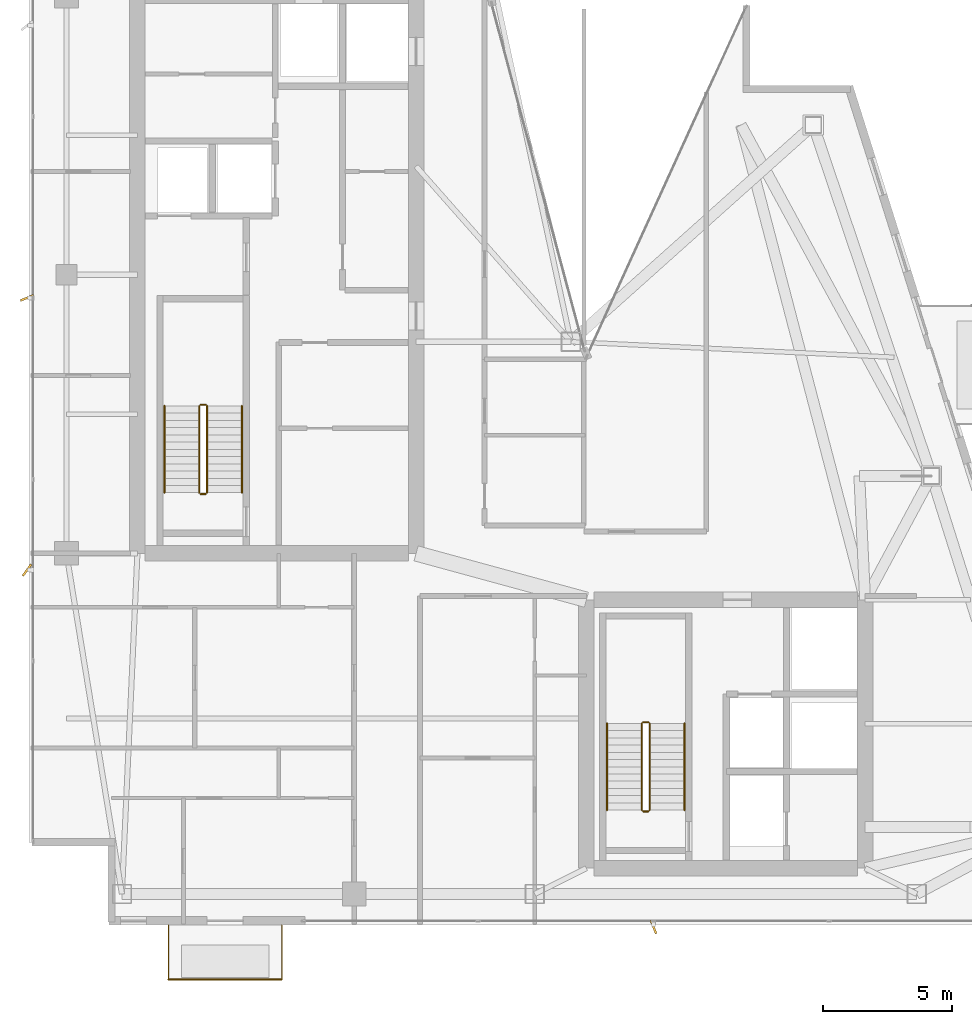
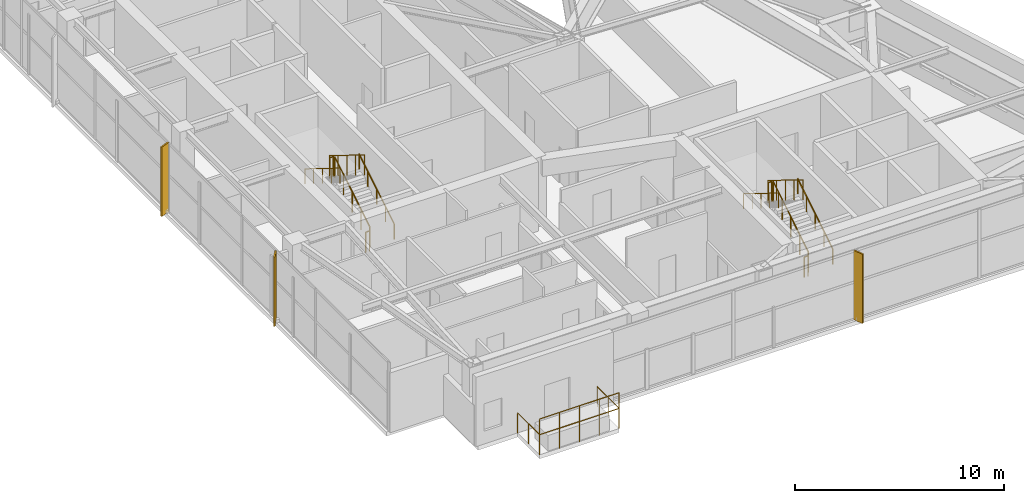
# One storey, part 25 of 26: 14 railings, 3 shading devices.
"""IFC4 building model written with IfcOpenShell, lengths in metres."""

from ifc_helpers import new_model, si_unit, direction, frame, origin, origin_2d, place, context, subcontext, project, spatial, rectangle, circle, extrude, material, type_object, element, save


model = new_model("IFC4")

# Units and contexts
model_context = context("Model", 3, precision=1e-05, world=origin(), true_north=direction((0.0, 1.0)))
body_context = subcontext(model_context, "Body", "Model", "MODEL_VIEW")
ifc_project = project(units=[si_unit("LENGTHUNIT", "METRE"), si_unit("AREAUNIT", "SQUARE_METRE"), si_unit("VOLUMEUNIT", "CUBIC_METRE"), si_unit("PLANEANGLEUNIT", "RADIAN"), si_unit("MASSUNIT", "GRAM", prefix="KILO")], contexts=[model_context])

# Site, building, storey
site_placement = place(None, origin())
site = spatial("IfcSite", under=ifc_project, at=site_placement, CompositionType="ELEMENT")
building_placement = place(site_placement, origin())
building = spatial("IfcBuilding", under=site, at=building_placement, Name="Calvorn Quay Hotel", CompositionType="ELEMENT")
storey_placement = place(building_placement, frame((0.0, 0.0, 302.5)))
storey = spatial("IfcBuildingStorey", under=building, at=storey_placement, Name="L75", CompositionType="ELEMENT", Elevation=302.5)

# Railings
ifc_material_1 = material(Name="Pale Anodised Aluminium and Laminated Glass", Category="aluminium")
railing_type_1 = type_object("IfcRailingType", Name="RLG-BALUSTRADE-1200", PredefinedType="BALUSTRADE", material=ifc_material_1)
railing_1_placement = place(storey_placement, frame((5.39990234375, 2.389892578125, 0.0)))
element("IfcRailing", 1, at=railing_1_placement, inside=storey, type_object=railing_type_1, Name="Tree Balcony Perimeter Balustrade L75-BALC-S", PredefinedType="BALUSTRADE", context=body_context, shape_type="SweptSolid", body=[
    extrude(circle(Radius=0.02392578125, at=origin_2d()), frame((0.0, 0.0, 1.17578125), z_axis=(0.0, -1.0, 0.0), x_axis=(1.0, 0.0, 0.0)), (0.0, 0.0, 1.0), 2.099853515625),
    extrude(circle(Radius=0.02392578125, at=origin_2d()), frame((0.0, -2.099853515625, 1.17578125), z_axis=(1.0, 0.0, 0.0), x_axis=(0.0, 1.0, 0.0)), (0.0, 0.0, 1.0), 4.400146484375),
    extrude(circle(Radius=0.02392578125, at=origin_2d()), frame((4.400146484375, -2.099853515625, 1.17578125), z_axis=(0.0, 1.0, 0.0), x_axis=(-1.0, 0.0, 0.0)), (0.0, 0.0, 1.0), 2.099853515625),
    extrude(circle(Radius=0.02099609375, at=origin_2d()), origin(), (0.0, 0.0, 1.0), 1.15185546875),
    extrude(circle(Radius=0.02099609375, at=origin_2d()), frame((0.0, -1.0498046875, 0.0)), (0.0, 0.0, 1.0), 1.15185546875),
    extrude(circle(Radius=0.02099609375, at=origin_2d()), frame((0.0, -2.099853515625, 0.0)), (0.0, 0.0, 1.0), 1.15185546875),
    extrude(circle(Radius=0.02099609375, at=origin_2d()), frame((1.10009765625, -2.099853515625, 0.0)), (0.0, 0.0, 1.0), 1.15185546875),
    extrude(circle(Radius=0.02099609375, at=origin_2d()), frame((2.2001953125, -2.099853515625, 0.0)), (0.0, 0.0, 1.0), 1.15185546875),
    extrude(circle(Radius=0.02099609375, at=origin_2d()), frame((3.300048828125, -2.099853515625, 0.0)), (0.0, 0.0, 1.0), 1.15185546875),
    extrude(circle(Radius=0.02099609375, at=origin_2d()), frame((4.400146484375, -2.099853515625, 0.0)), (0.0, 0.0, 1.0), 1.15185546875),
    extrude(circle(Radius=0.02099609375, at=origin_2d()), frame((4.400146484375, -1.0498046875, 0.0)), (0.0, 0.0, 1.0), 1.15185546875),
    extrude(circle(Radius=0.02099609375, at=origin_2d()), frame((4.400146484375, 0.0, 0.0)), (0.0, 0.0, 1.0), 1.15185546875),
])
railing_2_placement = place(storey_placement, frame((5.39990234375, 0.2900390625, 0.89990234375)))
element("IfcRailing", 2, at=railing_2_placement, inside=storey, type_object=railing_type_1, Name="Planter Kerb High Safety Screen L75-BALC-S", PredefinedType="BALUSTRADE", context=body_context, shape_type="SweptSolid", body=[
    extrude(circle(Radius=0.02392578125, at=origin_2d()), frame((0.0, 0.0, 1.19580078125), z_axis=(1.0, 0.0, 0.0), x_axis=(0.0, 1.0, 0.0)), (0.0, 0.0, 1.0), 4.400146484375),
    extrude(circle(Radius=0.02099609375, at=origin_2d()), origin(), (0.0, 0.0, 1.0), 1.171875),
    extrude(circle(Radius=0.02099609375, at=origin_2d()), frame((1.10009765625, 0.0, 0.0)), (0.0, 0.0, 1.0), 1.171875),
    extrude(circle(Radius=0.02099609375, at=origin_2d()), frame((2.2001953125, 0.0, 0.0)), (0.0, 0.0, 1.0), 1.171875),
    extrude(circle(Radius=0.02099609375, at=origin_2d()), frame((3.300048828125, 0.0, 0.0)), (0.0, 0.0, 1.0), 1.171875),
    extrude(circle(Radius=0.02099609375, at=origin_2d()), frame((4.400146484375, 0.0, 0.0)), (0.0, 0.0, 1.0), 1.171875),
])
ifc_material_2 = material(Name="Brushed Stainless Steel Handrail", Category="steel")
railing_type_2 = type_object("IfcRailingType", Name="RLG-HANDRAIL-900", PredefinedType="HANDRAIL", material=ifc_material_2)
railing_3_placement = place(storey_placement, frame((8.25, 19.14990234375, 0.173095703125)))
element("IfcRailing", 3, at=railing_3_placement, inside=storey, type_object=railing_type_2, Name="L75 ST-W stair handrail 1", PredefinedType="HANDRAIL", context=body_context, shape_type="SweptSolid", body=[
    extrude(circle(Radius=0.02392578125, at=origin_2d()), frame((0.0, 0.0, 0.8759765625), z_axis=(0.0, 0.850623216509, 0.525775754039), x_axis=(-1.0, 0.0, 0.0)), (0.0, 0.0, 1.0), 3.9501953125),
    extrude(circle(Radius=0.02099609375, at=origin_2d()), origin(), (0.0, 0.0, 1.0), 0.851806640625),
    extrude(circle(Radius=0.02099609375, at=origin_2d()), frame((0.0, 0.840087890625, 0.519287109375)), (0.0, 0.0, 1.0), 0.851806640625),
    extrude(circle(Radius=0.02099609375, at=origin_2d()), frame((0.0, 1.68017578125, 1.03857421875)), (0.0, 0.0, 1.0), 0.851806640625),
    extrude(circle(Radius=0.02099609375, at=origin_2d()), frame((0.0, 2.52001953125, 1.5576171875)), (0.0, 0.0, 1.0), 0.851806640625),
    extrude(circle(Radius=0.02099609375, at=origin_2d()), frame((0.0, 3.360107421875, 2.076904296875)), (0.0, 0.0, 1.0), 0.851806640625),
])
railing_4_placement = place(storey_placement, frame((5.25, 22.510009765625, 2.423095703125)))
element("IfcRailing", 4, at=railing_4_placement, inside=storey, type_object=railing_type_2, Name="L75 ST-W stair handrail 2", PredefinedType="HANDRAIL", context=body_context, shape_type="SweptSolid", body=[
    extrude(circle(Radius=0.02392578125, at=origin_2d()), frame((0.0, 0.0, 0.8759765625), z_axis=(0.0, -0.850623216509, 0.525775754039), x_axis=(1.0, 0.0, 0.0)), (0.0, 0.0, 1.0), 3.9501953125),
    extrude(circle(Radius=0.02099609375, at=origin_2d()), origin(), (0.0, 0.0, 1.0), 0.851806640625),
    extrude(circle(Radius=0.02099609375, at=origin_2d()), frame((0.0, -0.840087890625, 0.519287109375)), (0.0, 0.0, 1.0), 0.851806640625),
    extrude(circle(Radius=0.02099609375, at=origin_2d()), frame((0.0, -1.68017578125, 1.03857421875)), (0.0, 0.0, 1.0), 0.851806640625),
    extrude(circle(Radius=0.02099609375, at=origin_2d()), frame((0.0, -2.52001953125, 1.5576171875)), (0.0, 0.0, 1.0), 0.851806640625),
    extrude(circle(Radius=0.02099609375, at=origin_2d()), frame((0.0, -3.360107421875, 2.076904296875)), (0.0, 0.0, 1.0), 0.851806640625),
])
railing_5_placement = place(storey_placement, frame((25.39990234375, 6.85009765625, 0.173095703125)))
element("IfcRailing", 5, at=railing_5_placement, inside=storey, type_object=railing_type_2, Name="L75 ST-E stair handrail 1", PredefinedType="HANDRAIL", context=body_context, shape_type="SweptSolid", body=[
    extrude(circle(Radius=0.02392578125, at=origin_2d()), frame((0.0, 0.0, 0.8759765625), z_axis=(0.0, 0.850606129759, 0.525803396734), x_axis=(-1.0, 0.0, 0.0)), (0.0, 0.0, 1.0), 3.949951171875),
    extrude(circle(Radius=0.02099609375, at=origin_2d()), origin(), (0.0, 0.0, 1.0), 0.851806640625),
    extrude(circle(Radius=0.02099609375, at=origin_2d()), frame((0.0, 0.83984375, 0.519287109375)), (0.0, 0.0, 1.0), 0.851806640625),
    extrude(circle(Radius=0.02099609375, at=origin_2d()), frame((0.0, 1.679931640625, 1.03857421875)), (0.0, 0.0, 1.0), 0.851806640625),
    extrude(circle(Radius=0.02099609375, at=origin_2d()), frame((0.0, 2.52001953125, 1.5576171875)), (0.0, 0.0, 1.0), 0.851806640625),
    extrude(circle(Radius=0.02099609375, at=origin_2d()), frame((0.0, 3.35986328125, 2.076904296875)), (0.0, 0.0, 1.0), 0.851806640625),
])
railing_6_placement = place(storey_placement, frame((22.39990234375, 10.2099609375, 2.423095703125)))
element("IfcRailing", 6, at=railing_6_placement, inside=storey, type_object=railing_type_2, Name="L75 ST-E stair handrail 2", PredefinedType="HANDRAIL", context=body_context, shape_type="SweptSolid", body=[
    extrude(circle(Radius=0.02392578125, at=origin_2d()), frame((0.0, 0.0, 0.8759765625), z_axis=(0.0, -0.850606129759, 0.525803396734), x_axis=(1.0, 0.0, 0.0)), (0.0, 0.0, 1.0), 3.949951171875),
    extrude(circle(Radius=0.02099609375, at=origin_2d()), origin(), (0.0, 0.0, 1.0), 0.851806640625),
    extrude(circle(Radius=0.02099609375, at=origin_2d()), frame((0.0, -0.83984375, 0.519287109375)), (0.0, 0.0, 1.0), 0.851806640625),
    extrude(circle(Radius=0.02099609375, at=origin_2d()), frame((0.0, -1.679931640625, 1.03857421875)), (0.0, 0.0, 1.0), 0.851806640625),
    extrude(circle(Radius=0.02099609375, at=origin_2d()), frame((0.0, -2.52001953125, 1.5576171875)), (0.0, 0.0, 1.0), 0.851806640625),
    extrude(circle(Radius=0.02099609375, at=origin_2d()), frame((0.0, -3.35986328125, 2.076904296875)), (0.0, 0.0, 1.0), 0.851806640625),
])
ifc_material_3 = material(Name="Painted Galvanised Steel Balustrade", Category="steel")
railing_type_3 = type_object("IfcRailingType", Name="RLG-STAIR-GUARD-1120", PredefinedType="GUARDRAIL", material=ifc_material_3)
railing_7_placement = place(storey_placement, frame((6.89990234375, 19.14990234375, 0.173095703125)))
element("IfcRailing", 7, at=railing_7_placement, inside=storey, type_object=railing_type_3, Name="L75 ST-W stair guard 1", PredefinedType="GUARDRAIL", context=body_context, shape_type="SweptSolid", body=[
    extrude(circle(Radius=0.02392578125, at=origin_2d()), frame((0.0, 0.0, 1.17578125), z_axis=(0.0, 0.850623216509, 0.525775754039), x_axis=(-1.0, 0.0, 0.0)), (0.0, 0.0, 1.0), 3.9501953125),
    extrude(circle(Radius=0.02099609375, at=origin_2d()), origin(), (0.0, 0.0, 1.0), 1.15185546875),
    extrude(circle(Radius=0.02099609375, at=origin_2d()), frame((0.0, 0.840087890625, 0.519287109375)), (0.0, 0.0, 1.0), 1.15185546875),
    extrude(circle(Radius=0.02099609375, at=origin_2d()), frame((0.0, 1.68017578125, 1.03857421875)), (0.0, 0.0, 1.0), 1.15185546875),
    extrude(circle(Radius=0.02099609375, at=origin_2d()), frame((0.0, 2.52001953125, 1.5576171875)), (0.0, 0.0, 1.0), 1.15185546875),
    extrude(circle(Radius=0.02099609375, at=origin_2d()), frame((0.0, 3.360107421875, 2.076904296875)), (0.0, 0.0, 1.0), 1.15185546875),
])
railing_8_placement = place(storey_placement, frame((6.85009765625, 22.56005859375, 2.25)))
element("IfcRailing", 8, at=railing_8_placement, inside=storey, type_object=railing_type_3, Name="L75 ST-W stair guard 2", PredefinedType="GUARDRAIL", context=body_context, shape_type="SweptSolid", body=[
    extrude(circle(Radius=0.02392578125, at=origin_2d()), frame((0.0, 0.0, 1.17578125), z_axis=(-1.0, 0.0, 0.0), x_axis=(0.0, -1.0, 0.0)), (0.0, 0.0, 1.0), 0.2001953125),
    extrude(circle(Radius=0.02099609375, at=origin_2d()), origin(), (0.0, 0.0, 1.0), 1.15185546875),
    extrude(circle(Radius=0.02099609375, at=origin_2d()), frame((-0.2001953125, 0.0, 0.0)), (0.0, 0.0, 1.0), 1.15185546875),
])
railing_9_placement = place(storey_placement, frame((6.60009765625, 22.510009765625, 2.423095703125)))
element("IfcRailing", 9, at=railing_9_placement, inside=storey, type_object=railing_type_3, Name="L75 ST-W stair guard 3", PredefinedType="GUARDRAIL", context=body_context, shape_type="SweptSolid", body=[
    extrude(circle(Radius=0.02392578125, at=origin_2d()), frame((0.0, 0.0, 1.17578125), z_axis=(0.0, -0.850623216509, 0.525775754039), x_axis=(1.0, 0.0, 0.0)), (0.0, 0.0, 1.0), 3.9501953125),
    extrude(circle(Radius=0.02099609375, at=origin_2d()), origin(), (0.0, 0.0, 1.0), 1.15185546875),
    extrude(circle(Radius=0.02099609375, at=origin_2d()), frame((0.0, -0.840087890625, 0.519287109375)), (0.0, 0.0, 1.0), 1.15185546875),
    extrude(circle(Radius=0.02099609375, at=origin_2d()), frame((0.0, -1.68017578125, 1.03857421875)), (0.0, 0.0, 1.0), 1.15185546875),
    extrude(circle(Radius=0.02099609375, at=origin_2d()), frame((0.0, -2.52001953125, 1.5576171875)), (0.0, 0.0, 1.0), 1.15185546875),
    extrude(circle(Radius=0.02099609375, at=origin_2d()), frame((0.0, -3.360107421875, 2.076904296875)), (0.0, 0.0, 1.0), 1.15185546875),
])
railing_10_placement = place(storey_placement, frame((6.85009765625, 19.10009765625, 0.0)))
element("IfcRailing", 10, at=railing_10_placement, inside=storey, type_object=railing_type_3, Name="L75 ST-W stair guard 4", PredefinedType="GUARDRAIL", context=body_context, shape_type="SweptSolid", body=[
    extrude(circle(Radius=0.02392578125, at=origin_2d()), frame((0.0, 0.0, 1.17578125), z_axis=(-1.0, 0.0, 0.0), x_axis=(0.0, -1.0, 0.0)), (0.0, 0.0, 1.0), 0.2001953125),
    extrude(circle(Radius=0.02099609375, at=origin_2d()), origin(), (0.0, 0.0, 1.0), 1.15185546875),
    extrude(circle(Radius=0.02099609375, at=origin_2d()), frame((-0.2001953125, 0.0, 0.0)), (0.0, 0.0, 1.0), 1.15185546875),
])
railing_11_placement = place(storey_placement, frame((24.050048828125, 6.85009765625, 0.173095703125)))
element("IfcRailing", 11, at=railing_11_placement, inside=storey, type_object=railing_type_3, Name="L75 ST-E stair guard 1", PredefinedType="GUARDRAIL", context=body_context, shape_type="SweptSolid", body=[
    extrude(circle(Radius=0.02392578125, at=origin_2d()), frame((0.0, 0.0, 1.17578125), z_axis=(0.0, 0.850606129759, 0.525803396734), x_axis=(-1.0, 0.0, 0.0)), (0.0, 0.0, 1.0), 3.949951171875),
    extrude(circle(Radius=0.02099609375, at=origin_2d()), origin(), (0.0, 0.0, 1.0), 1.15185546875),
    extrude(circle(Radius=0.02099609375, at=origin_2d()), frame((0.0, 0.83984375, 0.519287109375)), (0.0, 0.0, 1.0), 1.15185546875),
    extrude(circle(Radius=0.02099609375, at=origin_2d()), frame((0.0, 1.679931640625, 1.03857421875)), (0.0, 0.0, 1.0), 1.15185546875),
    extrude(circle(Radius=0.02099609375, at=origin_2d()), frame((0.0, 2.52001953125, 1.5576171875)), (0.0, 0.0, 1.0), 1.15185546875),
    extrude(circle(Radius=0.02099609375, at=origin_2d()), frame((0.0, 3.35986328125, 2.076904296875)), (0.0, 0.0, 1.0), 1.15185546875),
])
railing_12_placement = place(storey_placement, frame((24.0, 10.260009765625, 2.25)))
element("IfcRailing", 12, at=railing_12_placement, inside=storey, type_object=railing_type_3, Name="L75 ST-E stair guard 2", PredefinedType="GUARDRAIL", context=body_context, shape_type="SweptSolid", body=[
    extrude(circle(Radius=0.02392578125, at=origin_2d()), frame((0.0, 0.0, 1.17578125), z_axis=(-1.0, 0.0, 0.0), x_axis=(0.0, -1.0, 0.0)), (0.0, 0.0, 1.0), 0.199951171875),
    extrude(circle(Radius=0.02099609375, at=origin_2d()), origin(), (0.0, 0.0, 1.0), 1.15185546875),
    extrude(circle(Radius=0.02099609375, at=origin_2d()), frame((-0.199951171875, 0.0, 0.0)), (0.0, 0.0, 1.0), 1.15185546875),
])
railing_13_placement = place(storey_placement, frame((23.75, 10.2099609375, 2.423095703125)))
element("IfcRailing", 13, at=railing_13_placement, inside=storey, type_object=railing_type_3, Name="L75 ST-E stair guard 3", PredefinedType="GUARDRAIL", context=body_context, shape_type="SweptSolid", body=[
    extrude(circle(Radius=0.02392578125, at=origin_2d()), frame((0.0, 0.0, 1.17578125), z_axis=(0.0, -0.850606129759, 0.525803396734), x_axis=(1.0, 0.0, 0.0)), (0.0, 0.0, 1.0), 3.949951171875),
    extrude(circle(Radius=0.02099609375, at=origin_2d()), origin(), (0.0, 0.0, 1.0), 1.15185546875),
    extrude(circle(Radius=0.02099609375, at=origin_2d()), frame((0.0, -0.83984375, 0.519287109375)), (0.0, 0.0, 1.0), 1.15185546875),
    extrude(circle(Radius=0.02099609375, at=origin_2d()), frame((0.0, -1.679931640625, 1.03857421875)), (0.0, 0.0, 1.0), 1.15185546875),
    extrude(circle(Radius=0.02099609375, at=origin_2d()), frame((0.0, -2.52001953125, 1.5576171875)), (0.0, 0.0, 1.0), 1.15185546875),
    extrude(circle(Radius=0.02099609375, at=origin_2d()), frame((0.0, -3.35986328125, 2.076904296875)), (0.0, 0.0, 1.0), 1.15185546875),
])
railing_14_placement = place(storey_placement, frame((24.0, 6.800048828125, 0.0)))
element("IfcRailing", 14, at=railing_14_placement, inside=storey, type_object=railing_type_3, Name="L75 ST-E stair guard 4", PredefinedType="GUARDRAIL", context=body_context, shape_type="SweptSolid", body=[
    extrude(circle(Radius=0.02392578125, at=origin_2d()), frame((0.0, 0.0, 1.17578125), z_axis=(-1.0, 0.0, 0.0), x_axis=(0.0, -1.0, 0.0)), (0.0, 0.0, 1.0), 0.199951171875),
    extrude(circle(Radius=0.02099609375, at=origin_2d()), origin(), (0.0, 0.0, 1.0), 1.15185546875),
    extrude(circle(Radius=0.02099609375, at=origin_2d()), frame((-0.199951171875, 0.0, 0.0)), (0.0, 0.0, 1.0), 1.15185546875),
])

# Shading devices
ifc_material_4 = material(Name="Champagne Bronze Anodised Aluminium 6063-T6", Category="aluminium")
shading_device_type_1 = type_object("IfcShadingDeviceType", Name="SHD-FIN-A1", PredefinedType="USERDEFINED", material=ifc_material_4)
for number, where, z_axis, x_axis, name in (
    (15, (-0.080078125, 26.699951171875, 0.0), (0.0, 0.0, 1.0), (0.927183854567, 0.374606593416, 0.0), "Diagonal Sun-Shading Fin L75-W02"),
    (16, (24.199951171875, 2.320068359375, 0.0), (0.0, 0.0, 1.0), (-0.374606593416, 0.927183854567, 0.0), "Diagonal Sun-Shading Fin L75-S01"),
):
    element("IfcShadingDevice", number, at=place(storey_placement, frame(where, z_axis=z_axis, x_axis=x_axis)), inside=storey, type_object=shading_device_type_1, Name=name, ObjectType="FIN", PredefinedType="USERDEFINED", context=body_context, shape_type="SweptSolid", body=[
        extrude(rectangle(XDim=0.550048828125, YDim=0.080078125, at=origin_2d()), origin(), (0.0, 0.0, 1.0), 4.050048828125),
    ])
ifc_material_5 = material(Name="Champagne Bronze Anodised Aluminium 6063-T6", Category="aluminium")
shading_device_type_2 = type_object("IfcShadingDeviceType", Name="SHD-FIN-A3", PredefinedType="USERDEFINED", material=ifc_material_5)
shading_device_placement = place(storey_placement, frame((-0.080078125, 16.14990234375, 0.0), z_axis=(0.0, 0.0, 1.0), x_axis=(0.587785252292, 0.809016994375, 0.0)))
element("IfcShadingDevice", 17, at=shading_device_placement, inside=storey, type_object=shading_device_type_2, Name="Diagonal Sun-Shading Fin L75-W01", ObjectType="FIN", PredefinedType="USERDEFINED", context=body_context, shape_type="SweptSolid", body=[
    extrude(rectangle(XDim=0.550048828125, YDim=0.080078125, at=origin_2d()), origin(), (0.0, 0.0, 1.0), 4.050048828125),
])

save(model, "model.ifc")
